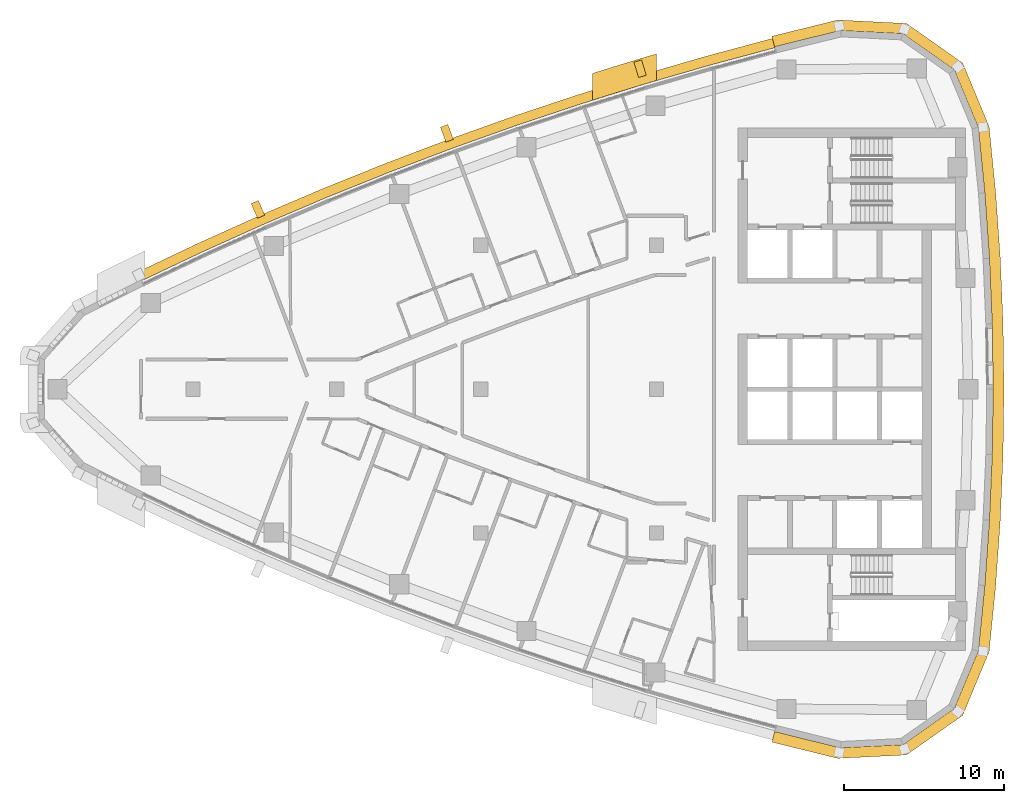
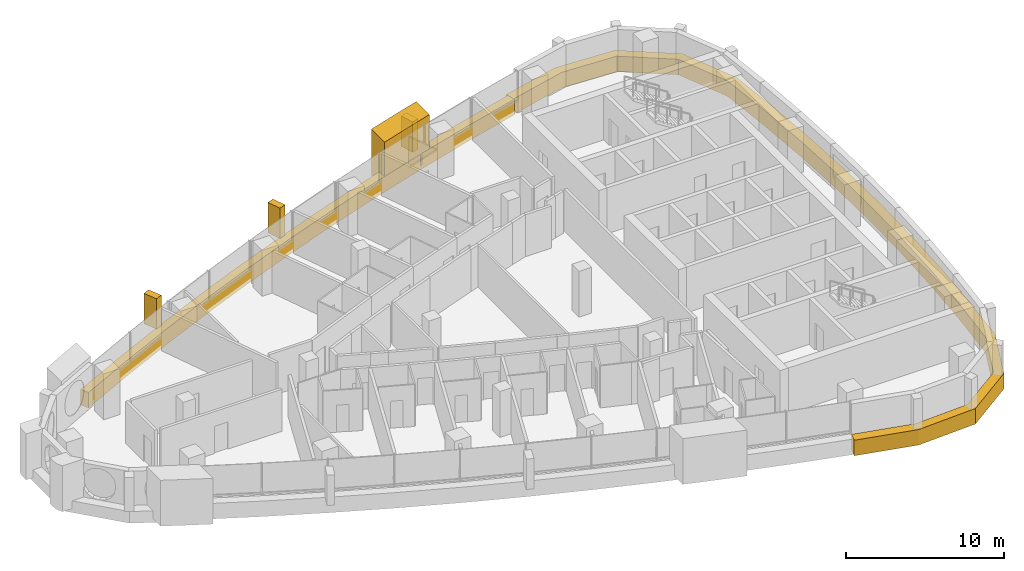
# One storey, part 15 of 16: 6 coverings.
"""IFC4 building model written with IfcOpenShell, lengths in metres."""

import ifcopenshell
import ifcopenshell.guid

model = None  # the IFC model being written
_history = None  # IfcOwnerHistory: only IFC2X3 demands one
_inside = {}  # id of a spatial element -> (the spatial element, [elements in it])
_under = {}  # id of a project, library or spatial element -> (it, [spatial elements below it])
_declared = {}  # id of a project -> (the project, [libraries it declares])
_typed = {}  # id of a type object -> (the type object, [elements of that type])
_made_of = {}  # id of a material, layer set ... -> (it, [elements and type objects made of it])


def new_model(schema):
    """Start an empty IFC model of exactly this schema.

    Asked for "IFC4X3", IfcOpenShell would pick the latest addendum, in which some entities
    have other attributes; the version numbers below select the first issue.
    IFC2X3 requires an IfcOwnerHistory on every rooted entity: one is made here for all.
    """
    global model, _history
    if schema == "IFC4X3":
        model = ifcopenshell.file(schema_version=(4, 3, 0, 0))
    else:
        model = ifcopenshell.file(schema=schema)
    _inside.clear()
    _under.clear()
    _declared.clear()
    _typed.clear()
    _made_of.clear()
    _history = None
    if model.schema == "IFC2X3":
        org = make("IfcOrganization", Name="unknown")
        user = make(
            "IfcPersonAndOrganization",
            ThePerson=make("IfcPerson", FamilyName="unknown"),
            TheOrganization=org,
        )
        app = make(
            "IfcApplication",
            ApplicationDeveloper=org,
            Version="unknown",
            ApplicationFullName="unknown",
            ApplicationIdentifier="unknown",
        )
        _history = make(
            "IfcOwnerHistory",
            OwningUser=user,
            OwningApplication=app,
            ChangeAction="ADDED",
            CreationDate=0,
        )
    return model


def make(cls, **values):
    """One entity of the class cls with the attributes given. An attribute that is None is left unset."""
    return model.create_entity(
        cls, **{name: value for name, value in values.items() if value is not None}
    )


def rooted(cls, **values):
    """An entity with a GlobalId (a new one), such as an element, a storey or a relation."""
    return make(cls, GlobalId=ifcopenshell.guid.new(), OwnerHistory=_history, **values)


def si_unit(unit_type, name, prefix=None):
    """IfcSIUnit, for example si_unit("LENGTHUNIT", "METRE", prefix="MILLI")."""
    return make("IfcSIUnit", UnitType=unit_type, Prefix=prefix, Name=name)


def assignment(units):
    """IfcUnitAssignment: the units of a project."""
    return None if units is None else make("IfcUnitAssignment", Units=units)


def point(xyz):
    """IfcCartesianPoint."""
    return None if xyz is None else make("IfcCartesianPoint", Coordinates=xyz)


def direction(xyz):
    """IfcDirection."""
    return None if xyz is None else make("IfcDirection", DirectionRatios=xyz)


def frame(location, z_axis=None, x_axis=None):
    """IfcAxis2Placement3D, a coordinate frame: its origin and axes. An axis left out is left unset."""
    return make(
        "IfcAxis2Placement3D",
        Location=point(location),
        Axis=direction(z_axis),
        RefDirection=direction(x_axis),
    )


def frame_2d(location, x_axis=None):
    """IfcAxis2Placement2D, a coordinate frame in the plane: its origin and x axis."""
    return make(
        "IfcAxis2Placement2D", Location=point(location), RefDirection=direction(x_axis)
    )


def origin():
    """The frame at (0, 0, 0) with its axes left unset."""
    return frame((0.0, 0.0, 0.0))


def place(relative_to, where):
    """IfcLocalPlacement: puts the frame where relative to a parent placement (None: the world)."""
    return make(
        "IfcLocalPlacement", PlacementRelTo=relative_to, RelativePlacement=where
    )


def context(
    kind, dimensions, precision=None, world=None, true_north=None, identifier=None
):
    """IfcGeometricRepresentationContext, for example the 3D "Model" context."""
    return make(
        "IfcGeometricRepresentationContext",
        ContextIdentifier=identifier,
        ContextType=kind,
        CoordinateSpaceDimension=dimensions,
        Precision=precision,
        WorldCoordinateSystem=world,
        TrueNorth=true_north,
    )


def subcontext(parent, identifier, kind, view, scale=None):
    """IfcGeometricRepresentationSubContext, for example "Body" below "Model"."""
    return make(
        "IfcGeometricRepresentationSubContext",
        ContextIdentifier=identifier,
        ContextType=kind,
        ParentContext=parent,
        TargetScale=scale,
        TargetView=view,
    )


def project(units=None, contexts=None):
    """IfcProject with its units and contexts."""
    return rooted(
        "IfcProject",
        Name="project",
        RepresentationContexts=contexts,
        UnitsInContext=assignment(units),
    )


def spatial(cls, under=None, at=None, **own):
    """A site, building, storey or space (cls), placed at a placement, below another one or the project."""
    s = rooted(cls, ObjectPlacement=at, **own)
    if under is not None:
        _under.setdefault(under.id(), (under, []))[1].append(s)
    return s


def polyline(points):
    """IfcPolyline through the points."""
    return make("IfcPolyline", Points=[point(p) for p in points])


def profile(cls, at=None, kind="AREA", **sizes):
    """A parametric profile (cls). Its sizes go by their IFC names, for example OverallWidth=200.0."""
    return make(cls, ProfileType=kind, Position=at, **sizes)


def rectangle(**sizes):
    """IfcRectangleProfileDef."""
    return profile("IfcRectangleProfileDef", **sizes)


def outline(outer, holes=None, kind="AREA"):
    """IfcArbitraryClosedProfileDef: a profile drawn as a closed curve; with holes, ...WithVoids."""
    if holes is None:
        return make("IfcArbitraryClosedProfileDef", ProfileType=kind, OuterCurve=outer)
    return make(
        "IfcArbitraryProfileDefWithVoids",
        ProfileType=kind,
        OuterCurve=outer,
        InnerCurves=holes,
    )


def extrude(swept, where, along, depth):
    """IfcExtrudedAreaSolid: the profile swept, set in the frame where, extruded along a direction by depth."""
    return make(
        "IfcExtrudedAreaSolid",
        SweptArea=swept,
        Position=where,
        ExtrudedDirection=direction(along),
        Depth=depth,
    )


def shape(context_of_items, identifier, shape_type, items):
    """IfcShapeRepresentation: the items that make up one representation, for example the "Body"."""
    return make(
        "IfcShapeRepresentation",
        ContextOfItems=context_of_items,
        RepresentationIdentifier=identifier,
        RepresentationType=shape_type,
        Items=items,
    )


def material(Name=None, Category=None):
    """IfcMaterial."""
    return make("IfcMaterial", Name=Name, Category=Category)


def layer(
    of_material, thickness, ventilated=None, Name=None, Category=None, Priority=None
):
    """IfcMaterialLayer: one layer of a wall or slab, of a material (None: an air gap)."""
    return make(
        "IfcMaterialLayer",
        Material=of_material,
        LayerThickness=thickness,
        IsVentilated=ventilated,
        Name=Name,
        Category=Category,
        Priority=Priority,
    )


def layer_set(layers, Name=None):
    """IfcMaterialLayerSet."""
    return make("IfcMaterialLayerSet", MaterialLayers=layers, LayerSetName=Name)


def made_of(thing, what):
    """Note that an element or type object is made of a material, layer set ...; save() writes the relation."""
    if what is not None:
        _made_of.setdefault(what.id(), (what, []))[1].append(thing)
    return thing


def type_object(cls, material=None, **own):
    """A type object (cls), such as IfcWallType, which elements share."""
    return made_of(rooted(cls, **own), material)


def element(
    cls,
    number,
    at=None,
    inside=None,
    cuts=None,
    type_object=None,
    material=None,
    context=None,
    identifier="Body",
    shape_type=None,
    held_by="IfcProductDefinitionShape",
    body=None,
    shapes=None,
    **own,
):
    """One element of the class cls, such as IfcWall. Its Tag is "e" and its number.

    at: its placement. inside: the storey or other place that contains it. cuts: it is an
    opening in that element (IfcRelVoidsElement). A single representation is given by context,
    identifier, shape_type and body (its items); several are given by shapes. held_by: the class
    of the entity that holds the representations. save() writes the other relations.
    """
    e = rooted(cls, Tag="e%d" % number, ObjectPlacement=at, **own)
    if body is not None:
        shapes = [shape(context, identifier, shape_type, body)]
    if shapes is not None:
        e.Representation = make(held_by, Representations=shapes)
    if inside is not None:
        _inside.setdefault(inside.id(), (inside, []))[1].append(e)
    if cuts is not None:
        rooted(
            "IfcRelVoidsElement", RelatingBuildingElement=cuts, RelatedOpeningElement=e
        )
    if type_object is not None:
        _typed.setdefault(type_object.id(), (type_object, []))[1].append(e)
    return made_of(e, material)


def aggregate(whole, parts):
    """IfcRelAggregates: a whole, such as a stair, and the parts it consists of."""
    return rooted("IfcRelAggregates", RelatingObject=whole, RelatedObjects=parts)


def save(model, path):
    """Write the relations noted so far, then the file.

    IfcRelAggregates (storeys below a building ...), IfcRelContainedInSpatialStructure (elements
    in a storey), IfcRelDefinesByType, IfcRelAssociatesMaterial and IfcRelDeclares: one each for
    every whole, place, type object, material and project.
    """
    for whole, parts in _under.values():
        aggregate(whole, parts)
    for where, things in _inside.values():
        rooted(
            "IfcRelContainedInSpatialStructure",
            RelatedElements=things,
            RelatingStructure=where,
        )
    for kind, things in _typed.values():
        rooted("IfcRelDefinesByType", RelatedObjects=things, RelatingType=kind)
    for what, things in _made_of.values():
        rooted("IfcRelAssociatesMaterial", RelatedObjects=things, RelatingMaterial=what)
    for by, libraries in _declared.values():
        rooted("IfcRelDeclares", RelatingContext=by, RelatedDefinitions=libraries)
    model.write(path)


model = new_model("IFC4")

# Units and contexts
model_context = context("Model", 3, precision=1e-05, world=origin(), true_north=direction((0.0, 1.0)))
body_context = subcontext(model_context, "Body", "Model", "MODEL_VIEW")
ifc_project = project(units=[si_unit("LENGTHUNIT", "METRE"), si_unit("AREAUNIT", "SQUARE_METRE"), si_unit("VOLUMEUNIT", "CUBIC_METRE"), si_unit("PLANEANGLEUNIT", "RADIAN"), si_unit("MASSUNIT", "GRAM", prefix="KILO")], contexts=[model_context])

# Site, building, storey
site_placement = place(None, origin())
site = spatial("IfcSite", under=ifc_project, at=site_placement, CompositionType="ELEMENT")
building_placement = place(site_placement, origin())
building = spatial("IfcBuilding", under=site, at=building_placement, Name="Ostrand Prow Hotel Tower", CompositionType="ELEMENT")
storey_placement = place(building_placement, frame((0.0, 0.0, 249.199951171875)))
storey = spatial("IfcBuildingStorey", under=building, at=storey_placement, Name="L63", CompositionType="ELEMENT", Elevation=249.199951171875)

# Coverings
ifc_material_1 = material(Name="Bronze anodised aluminium cladding", Category="aluminium")
ifc_layer_1 = layer(ifc_material_1, 0.60009765625)
ifc_layer_set_1 = layer_set([ifc_layer_1], Name="Bronze anodised aluminium cladding")
covering_type_1 = type_object("IfcCoveringType", Name="Bronze spandrel band 1200x600", PredefinedType="CLADDING", material=ifc_layer_set_1)
covering_1_placement = place(storey_placement, frame((0.0, 0.0, -0.300048828125)))
element("IfcCovering", 1, at=covering_1_placement, inside=storey, type_object=covering_type_1, Name="Spandrel band N1", PredefinedType="CLADDING", context=body_context, shape_type="SweptSolid", body=[
    extrude(outline(polyline([(52.256591796875, 21.944580078125), (48.16064453125, 20.846435546875), (44.087890625, 19.665771484375), (40.039306640625, 18.403564453125), (36.017333984375, 17.059814453125), (32.02294921875, 15.635498046875), (28.058349609375, 14.131103515625), (24.12451171875, 12.547119140625), (20.2236328125, 10.88427734375), (16.35693359375, 9.14306640625), (12.526123046875, 7.324462890625), (12.788818359375, 6.784912109375), (16.60888671875, 8.598388671875), (20.464599609375, 10.334716796875), (24.354248046875, 11.992919921875), (28.27685546875, 13.572265625), (32.230224609375, 15.072509765625), (36.213134765625, 16.49267578125), (40.223876953125, 17.83251953125), (44.260498046875, 19.09130859375), (48.322021484375, 20.268310546875), (52.40625, 21.363525390625), (52.256591796875, 21.944580078125)])), origin(), (0.0, 0.0, 1.0), 1.2001953125),
])
covering_2_placement = place(storey_placement, frame((0.0, 0.0, -0.300048828125)))
element("IfcCovering", 2, at=covering_2_placement, inside=storey, type_object=covering_type_1, Name="Spandrel band back 1", PredefinedType="CLADDING", context=body_context, shape_type="SweptSolid", body=[
    extrude(outline(polyline([(52.22119140625, -22.081787109375), (56.34130859375, -23.09814453125), (60.638671875, -22.8837890625), (64.15771484375, -20.408447265625), (65.81201171875, -16.4365234375), (66.218505859375, -12.3388671875), (66.509033203125, -8.2314453125), (66.68359375, -4.117431640625), (66.74169921875, 0.0), (66.68359375, 4.117431640625), (66.509033203125, 8.2314453125), (66.218505859375, 12.3388671875), (65.81201171875, 16.4365234375), (64.15771484375, 20.408447265625), (60.638671875, 22.8837890625), (56.34130859375, 23.09814453125), (52.22119140625, 22.081787109375), (52.390869140625, 21.42333984375), (56.49755859375, 22.436279296875), (60.417236328125, 22.240966796875), (63.62744140625, 19.98291015625), (65.13623046875, 16.35986328125), (65.541015625, 12.281494140625), (65.830078125, 8.193115234375), (66.00390625, 4.09814453125), (66.061767578125, 0.0), (66.00390625, -4.09814453125), (65.830078125, -8.193115234375), (65.541015625, -12.281494140625), (65.13623046875, -16.35986328125), (63.62744140625, -19.98291015625), (60.417236328125, -22.240966796875), (56.49755859375, -22.436279296875), (52.390869140625, -21.42333984375), (52.22119140625, -22.081787109375)])), origin(), (0.0, 0.0, 1.0), 1.2001953125),
])
ifc_material_2 = material(Name="Limestone cladding", Category="masonry")
ifc_layer_2 = layer(ifc_material_2, 5.0)
ifc_layer_set_2 = layer_set([ifc_layer_2], Name="Limestone cladding")
covering_type_2 = type_object("IfcCoveringType", Name="Portal jamb pilaster limestone", PredefinedType="CLADDING", material=ifc_layer_set_2)
covering_3_placement = place(storey_placement, origin())
element("IfcCovering", 3, at=covering_3_placement, inside=storey, type_object=covering_type_2, Name="Portal jamb NB L63", PredefinedType="CLADDING", context=body_context, shape_type="SweptSolid", body=[
    extrude(outline(polyline([(41.0, 18.08154296875), (42.0, 18.3974609375), (43.0, 18.707763671875), (44.0, 19.0126953125), (45.0, 19.312255859375), (45.0, 20.980712890625), (44.0, 20.68359375), (43.0, 20.381103515625), (42.0, 20.0732421875), (41.0, 19.760009765625), (41.0, 18.08154296875)])), origin(), (0.0, 0.0, 1.0), 3.550048828125),
])
ifc_material_3 = material(Name="Limestone cladding", Category="masonry")
ifc_layer_3 = layer(ifc_material_3, 0.5)
ifc_layer_set_3 = layer_set([ifc_layer_3], Name="Limestone cladding")
covering_type_3 = type_object("IfcCoveringType", Name="Precast stone fin 500x900", PredefinedType="CLADDING", material=ifc_layer_set_3)
for number, where, z_axis, x_axis, name in (
    (4, (44.11669921875, 19.570068359375, 0.900146484375), (0.0, 0.0, 1.0), (-0.288109396306, 0.95759750196, 0.0), "Stone fin N 3"),
    (5, (32.0576171875, 15.541748046875, 0.900146484375), (0.0, 0.0, 1.0), (-0.345445137787, 0.938438946751, 0.0), "Stone fin N 6"),
):
    element("IfcCovering", number, at=place(storey_placement, frame(where, z_axis=z_axis, x_axis=x_axis)), inside=storey, type_object=covering_type_3, Name=name, PredefinedType="CLADDING", context=body_context, shape_type="SweptSolid", body=[
        extrude(rectangle(XDim=1.0, YDim=0.5, at=frame_2d((0.5, 0.0))), origin(), (0.0, 0.0, 1.0), 2.349853515625),
    ])
covering_4_placement = place(storey_placement, frame((20.263916015625, 10.79248046875, 0.900146484375), z_axis=(0.0, 0.0, 1.0), x_axis=(-0.401535789459, 0.915843332554, 0.0)))
element("IfcCovering", 6, at=covering_4_placement, inside=storey, type_object=covering_type_3, Name="Stone fin N 9", PredefinedType="CLADDING", context=body_context, shape_type="SweptSolid", body=[
    extrude(rectangle(XDim=1.000244140625, YDim=0.5, at=frame_2d((0.5, 0.0))), origin(), (0.0, 0.0, 1.0), 2.349853515625),
])

save(model, "model.ifc")
